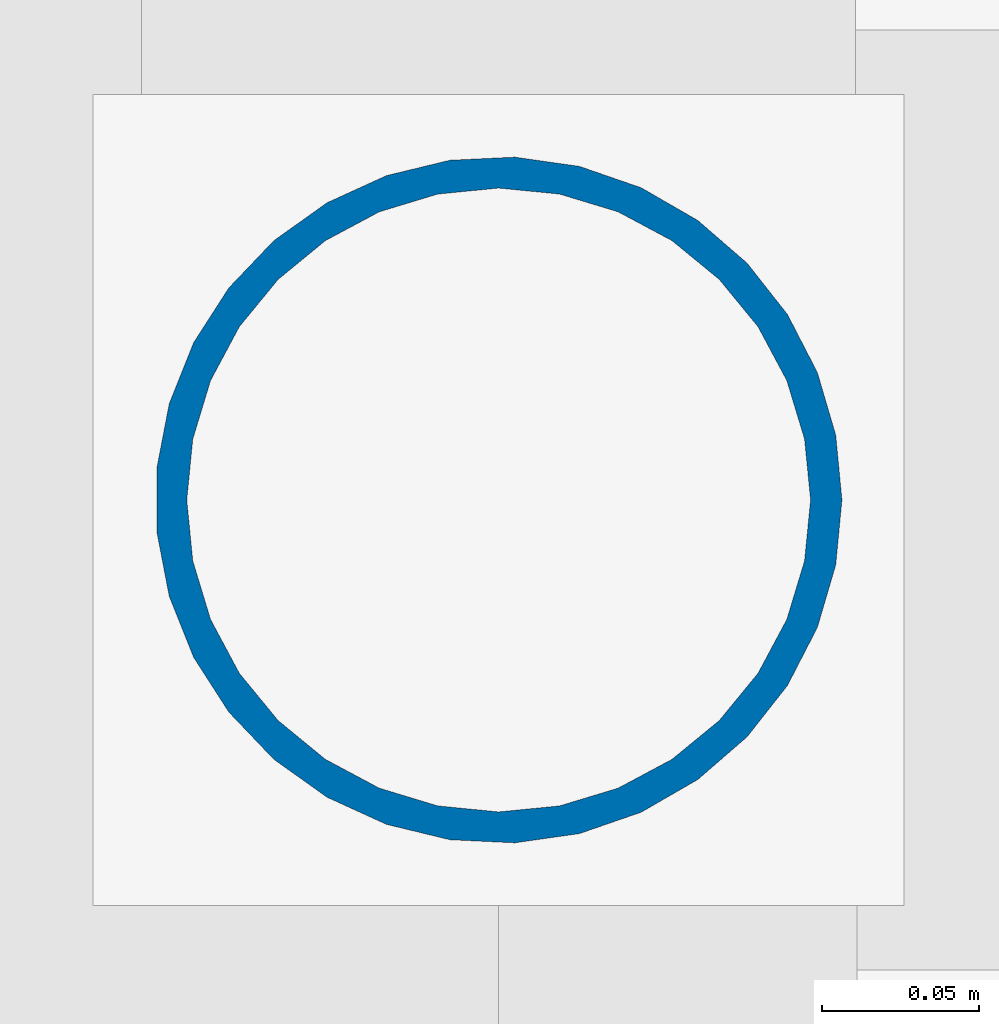
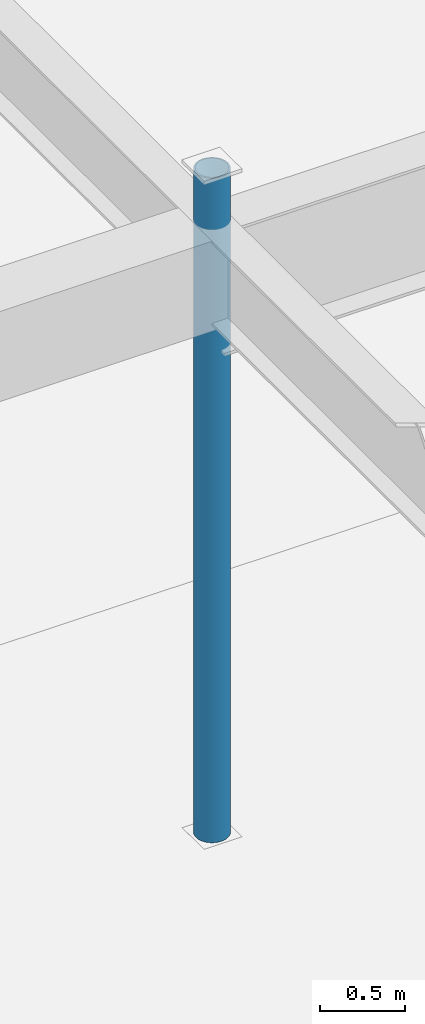
# One storey, part 33 of 136: 1 column.
"""IFC4 building model written with IfcOpenShell, lengths in metres."""

from ifc_helpers import new_model, si_unit, direction, frame, origin, origin_2d, place, context, subcontext, project, spatial, hollow_circle, extrude, material, material_profile, profile_set, type_object, element, save


model = new_model("IFC4")

# Units and contexts
model_context = context("Model", 3, precision=1e-05, world=origin(), true_north=direction((0.0, 1.0)))
body_context = subcontext(model_context, "Body", "Model", "MODEL_VIEW")
ifc_project = project(units=[si_unit("LENGTHUNIT", "METRE"), si_unit("AREAUNIT", "SQUARE_METRE"), si_unit("VOLUMEUNIT", "CUBIC_METRE"), si_unit("PLANEANGLEUNIT", "RADIAN"), si_unit("MASSUNIT", "GRAM", prefix="KILO")], contexts=[model_context])

# Site, building, storey
site_placement = place(None, origin())
site = spatial("IfcSite", under=ifc_project, at=site_placement, CompositionType="ELEMENT")
building_placement = place(site_placement, origin())
building = spatial("IfcBuilding", under=site, at=building_placement, Name="Tarnwether General Hospital", CompositionType="ELEMENT")
storey_placement = place(building_placement, frame((0.0, 0.0, -4.800048828125)))
storey = spatial("IfcBuildingStorey", under=building, at=storey_placement, Name="LG", CompositionType="ELEMENT", Elevation=-4.800048828125)

# Column
ifc_material = material(Name="Steel Grade C350L0 (350 MPa)", Category="steel")
ifc_material_profile = material_profile(ifc_material, hollow_circle(Radius=0.109619140625, WallThickness=0.010009765625, at=origin_2d()), Name="CHS219.1x10.0")
ifc_profile_set = profile_set([ifc_material_profile], Name="Steel Grade C350L0 (350 MPa)")
column_type = type_object("IfcColumnType", Name="COL-13", PredefinedType="COLUMN", material=ifc_profile_set)
column_placement = place(storey_placement, frame((48.0, 115.199951171875, 0.0), z_axis=(0.0, 0.0, 1.0), x_axis=(1.0, 0.0, 0.0)))
element("IfcColumn", 1, at=column_placement, inside=storey, type_object=column_type, Name="Column COLG-LG-4800_11520", PredefinedType="COLUMN", context=body_context, shape_type="SweptSolid", body=[
    extrude(hollow_circle(Radius=0.109619140625, WallThickness=0.010009765625, at=origin_2d()), origin(), (0.0, 0.0, 1.0), 4.800048828125),
])

save(model, "model.ifc")
